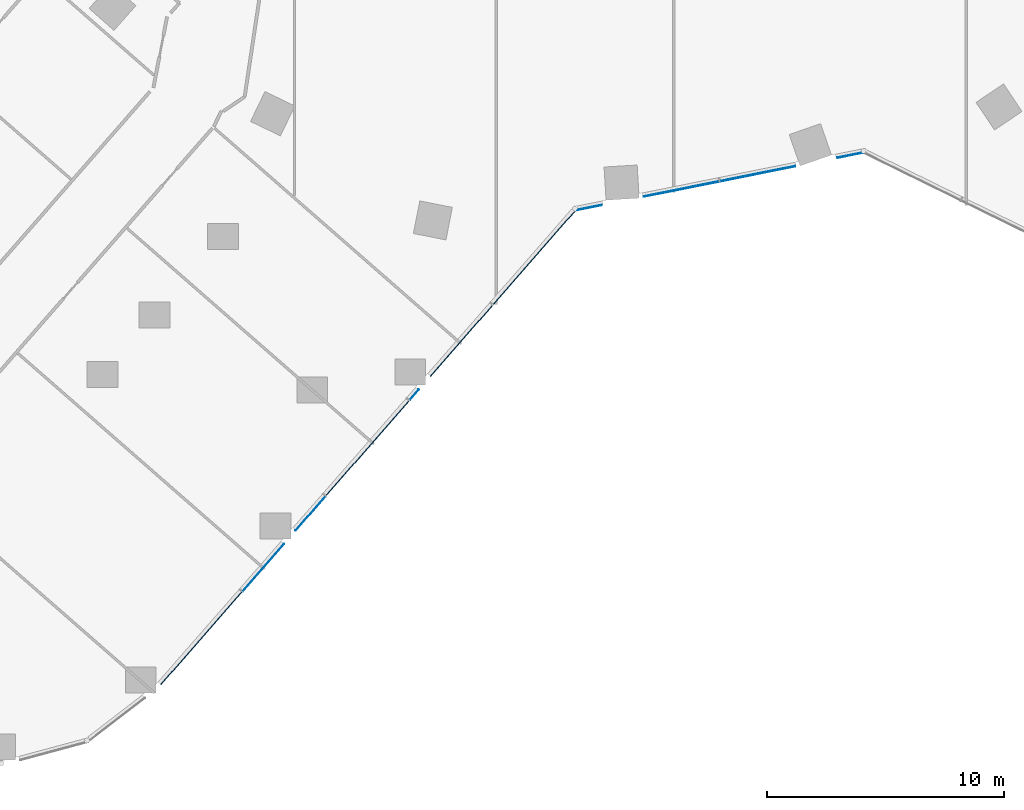
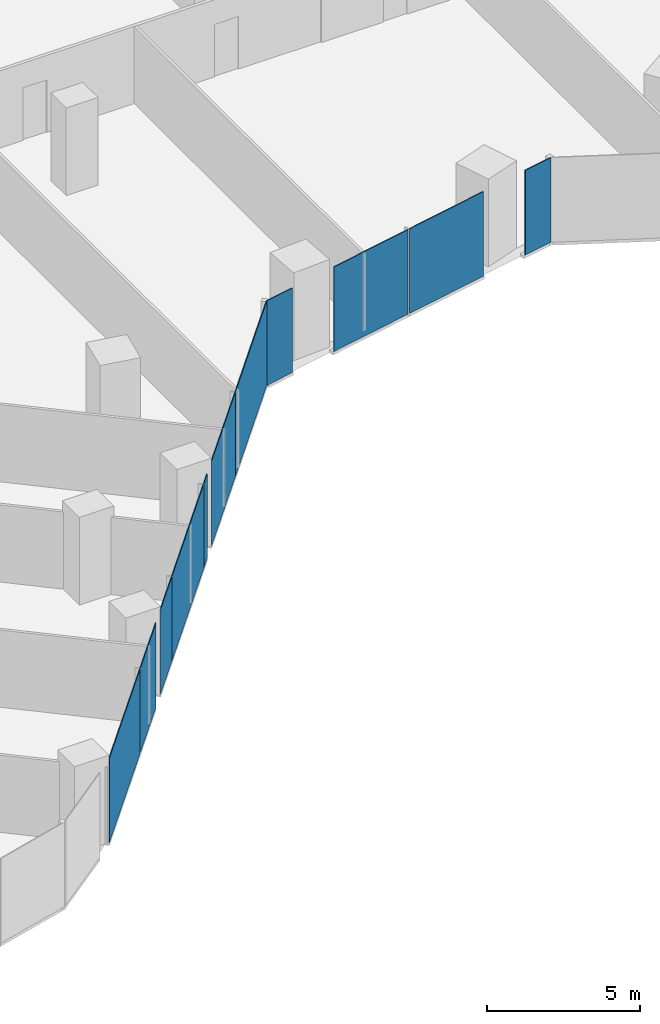
# One storey, part 19 of 38: 11 plates, 2 elements without a shape of their own.
"""IFC4 building model written with IfcOpenShell, lengths in metres."""

from ifc_helpers import new_model, si_unit, direction, frame, origin, origin_2d, place, context, subcontext, project, spatial, rectangle, extrude, material, layer, layer_set, type_object, element, aggregate, save


model = new_model("IFC4")

# Units and contexts
model_context = context("Model", 3, precision=1e-05, world=origin(), true_north=direction((0.0, 1.0)))
body_context = subcontext(model_context, "Body", "Model", "MODEL_VIEW")
ifc_project = project(units=[si_unit("LENGTHUNIT", "METRE"), si_unit("AREAUNIT", "SQUARE_METRE"), si_unit("VOLUMEUNIT", "CUBIC_METRE"), si_unit("PLANEANGLEUNIT", "RADIAN"), si_unit("MASSUNIT", "GRAM", prefix="KILO")], contexts=[model_context])

# Site, building, storey
site_placement = place(None, origin())
site = spatial("IfcSite", under=ifc_project, at=site_placement, CompositionType="ELEMENT")
building_placement = place(site_placement, origin())
building = spatial("IfcBuilding", under=site, at=building_placement, Name="Orlundy Tower", CompositionType="ELEMENT")
storey_placement = place(building_placement, frame((0.0, 0.0, 62.300048828125)))
storey = spatial("IfcBuildingStorey", under=building, at=storey_placement, Name="L14", CompositionType="ELEMENT", Elevation=62.300048828125)

# Curtain wall, plates
ifc_material_1 = material(Name="Aluminium bronze anodised", Category="aluminium")
curtain_wall_type = type_object("IfcCurtainWallType", Name="CW1 wall", PredefinedType="NOTDEFINED", material=ifc_material_1)
curtain_wall_1_placement = place(storey_placement, origin())
curtain_wall_1 = element("IfcCurtainWall", 1, at=curtain_wall_1_placement, inside=storey, type_object=curtain_wall_type, Name="CW1 run 01", PredefinedType="NOTDEFINED")
ifc_material_2 = material(Name="Tinted glass", Category="glass")
ifc_layer = layer(ifc_material_2, 0.031982421875)
ifc_layer_set = layer_set([ifc_layer], Name="CW1 glass panel 32")
plate_type = type_object("IfcPlateType", Name="CW1 glass panel 32", PredefinedType="CURTAIN_PANEL", material=ifc_layer_set)
plate_1_placement = place(storey_placement, frame((11.448486328125, -28.46923828125, -0.280029296875), z_axis=(0.0, 0.0, 1.0), x_axis=(-0.980497420907, -0.196531950572, 0.0)))
plate_1 = element("IfcPlate", 2, at=plate_1_placement, type_object=plate_type, Name="CW1 panel", PredefinedType="CURTAIN_PANEL", context=body_context, shape_type="SweptSolid", body=[
    extrude(rectangle(XDim=1.114013671875, YDim=0.031982421875, at=origin_2d()), origin(), (0.0, 0.0, 1.0), 3.3798828125),
])
plate_2_placement = place(storey_placement, frame((7.536376953125, -29.25341796875, -0.280029296875), z_axis=(0.0, 0.0, 1.0), x_axis=(-0.980497420907, -0.196531950572, 0.0)))
plate_2 = element("IfcPlate", 3, at=plate_2_placement, type_object=plate_type, Name="CW1 panel", PredefinedType="CURTAIN_PANEL", context=body_context, shape_type="SweptSolid", body=[
    extrude(rectangle(XDim=3.2314453125, YDim=0.031982421875, at=origin_2d()), origin(), (0.0, 0.0, 1.0), 3.3798828125),
])
plate_3_placement = place(storey_placement, frame((4.31884765625, -29.898193359375, -0.280029296875), z_axis=(0.0, 0.0, 1.0), x_axis=(-0.980497420907, -0.196531950572, 0.0)))
plate_3 = element("IfcPlate", 4, at=plate_3_placement, type_object=plate_type, Name="CW1 panel", PredefinedType="CURTAIN_PANEL", context=body_context, shape_type="SweptSolid", body=[
    extrude(rectangle(XDim=3.231689453125, YDim=0.031982421875, at=origin_2d()), origin(), (0.0, 0.0, 1.0), 3.3798828125),
])
plate_4_placement = place(storey_placement, frame((0.40673828125, -30.682373046875, -0.280029296875), z_axis=(0.0, 0.0, 1.0), x_axis=(-0.980497420907, -0.196531950572, 0.0)))
plate_4 = element("IfcPlate", 5, at=plate_4_placement, type_object=plate_type, Name="CW1 panel", PredefinedType="CURTAIN_PANEL", context=body_context, shape_type="SweptSolid", body=[
    extrude(rectangle(XDim=1.11376953125, YDim=0.031982421875, at=origin_2d()), origin(), (0.0, 0.0, 1.0), 3.3798828125),
])
aggregate(curtain_wall_1, [plate_1, plate_2, plate_3, plate_4])

curtain_wall_2_placement = place(storey_placement, origin())
curtain_wall_2 = element("IfcCurtainWall", 6, at=curtain_wall_2_placement, inside=storey, type_object=curtain_wall_type, Name="CW1 run 02", PredefinedType="NOTDEFINED")
plate_5_placement = place(storey_placement, frame((-1.875732421875, -32.77783203125, -0.280029296875), z_axis=(0.0, 0.0, 1.0), x_axis=(-0.658258754452, -0.752791745563, 0.0)))
plate_5 = element("IfcPlate", 7, at=plate_5_placement, type_object=plate_type, Name="CW1 panel", PredefinedType="CURTAIN_PANEL", context=body_context, shape_type="SweptSolid", body=[
    extrude(rectangle(XDim=5.276123046875, YDim=0.031982421875, at=origin_2d()), origin(), (0.0, 0.0, 1.0), 3.3798828125),
])
plate_6_placement = place(storey_placement, frame((-4.95654296875, -36.301025390625, -0.280029296875), z_axis=(0.0, 0.0, 1.0), x_axis=(-0.658258754452, -0.752791745563, 0.0)))
plate_6 = element("IfcPlate", 8, at=plate_6_placement, type_object=plate_type, Name="CW1 panel", PredefinedType="CURTAIN_PANEL", context=body_context, shape_type="SweptSolid", body=[
    extrude(rectangle(XDim=3.984375, YDim=0.031982421875, at=origin_2d()), origin(), (0.0, 0.0, 1.0), 3.3798828125),
])
plate_7_placement = place(storey_placement, frame((-6.948486328125, -38.5791015625, -0.280029296875), z_axis=(0.0, 0.0, 1.0), x_axis=(-0.658258754452, -0.752791745563, 0.0)))
plate_7 = element("IfcPlate", 9, at=plate_7_placement, type_object=plate_type, Name="CW1 panel", PredefinedType="CURTAIN_PANEL", context=body_context, shape_type="SweptSolid", body=[
    extrude(rectangle(XDim=0.576904296875, YDim=0.031982421875, at=origin_2d()), origin(), (0.0, 0.0, 1.0), 3.3798828125),
])
plate_8_placement = place(storey_placement, frame((-8.91796875, -40.83154296875, -0.280029296875), z_axis=(0.0, 0.0, 1.0), x_axis=(-0.658258754452, -0.752791745563, 0.0)))
plate_8 = element("IfcPlate", 10, at=plate_8_placement, type_object=plate_type, Name="CW1 panel", PredefinedType="CURTAIN_PANEL", context=body_context, shape_type="SweptSolid", body=[
    extrude(rectangle(XDim=5.306884765625, YDim=0.031982421875, at=origin_2d()), origin(), (0.0, 0.0, 1.0), 3.3798828125),
])
plate_9_placement = place(storey_placement, frame((-11.32421875, -43.583251953125, -0.280029296875), z_axis=(0.0, 0.0, 1.0), x_axis=(-0.658258754452, -0.752791745563, 0.0)))
plate_9 = element("IfcPlate", 11, at=plate_9_placement, type_object=plate_type, Name="CW1 panel", PredefinedType="CURTAIN_PANEL", context=body_context, shape_type="SweptSolid", body=[
    extrude(rectangle(XDim=1.904052734375, YDim=0.031982421875, at=origin_2d()), origin(), (0.0, 0.0, 1.0), 3.3798828125),
])
plate_10_placement = place(storey_placement, frame((-13.316650390625, -45.86181640625, -0.280029296875), z_axis=(0.0, 0.0, 1.0), x_axis=(-0.658258754452, -0.752791745563, 0.0)))
plate_10 = element("IfcPlate", 12, at=plate_10_placement, type_object=plate_type, Name="CW1 panel", PredefinedType="CURTAIN_PANEL", context=body_context, shape_type="SweptSolid", body=[
    extrude(rectangle(XDim=2.65625, YDim=0.031982421875, at=origin_2d()), origin(), (0.0, 0.0, 1.0), 3.3798828125),
])
plate_11_placement = place(storey_placement, frame((-15.930419921875, -48.850830078125, -0.280029296875), z_axis=(0.0, 0.0, 1.0), x_axis=(-0.658258754452, -0.752791745563, 0.0)))
plate_11 = element("IfcPlate", 13, at=plate_11_placement, type_object=plate_type, Name="CW1 panel", PredefinedType="CURTAIN_PANEL", context=body_context, shape_type="SweptSolid", body=[
    extrude(rectangle(XDim=5.185302734375, YDim=0.031982421875, at=origin_2d()), origin(), (0.0, 0.0, 1.0), 3.3798828125),
])
aggregate(curtain_wall_2, [plate_5, plate_6, plate_7, plate_8, plate_9, plate_10, plate_11])

save(model, "model.ifc")
